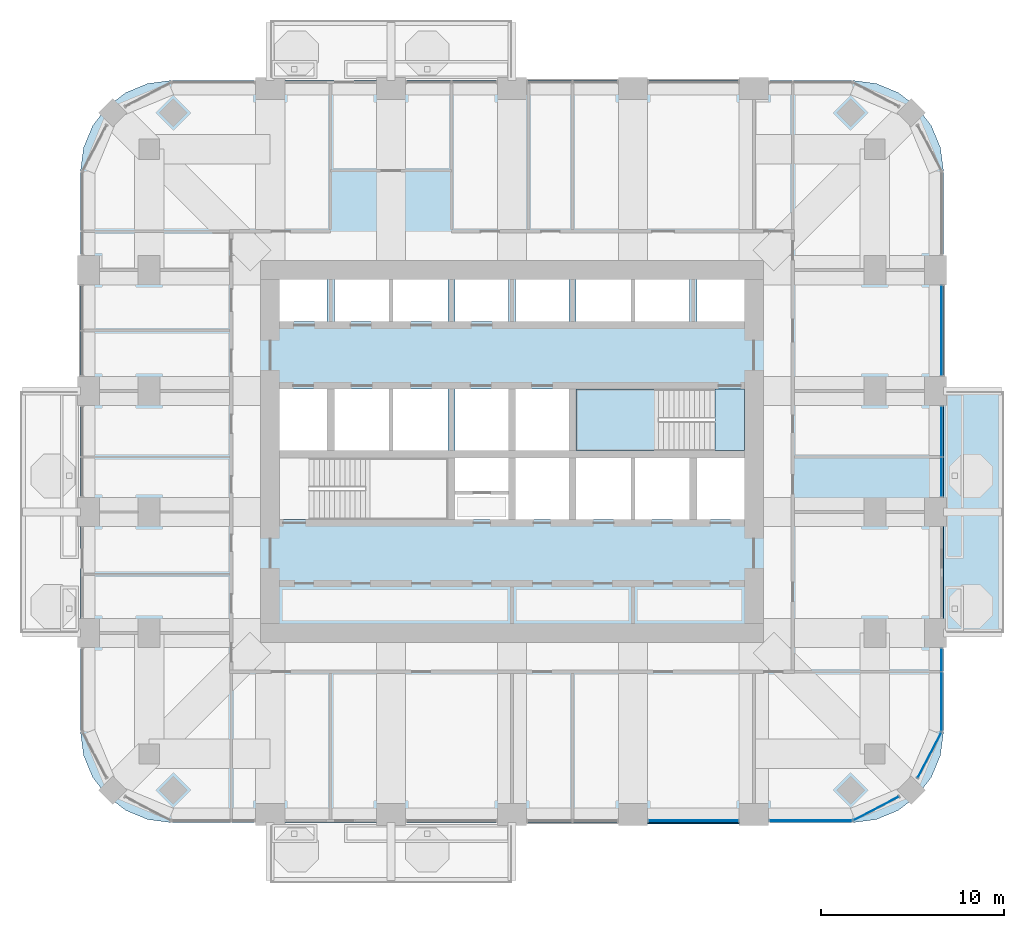
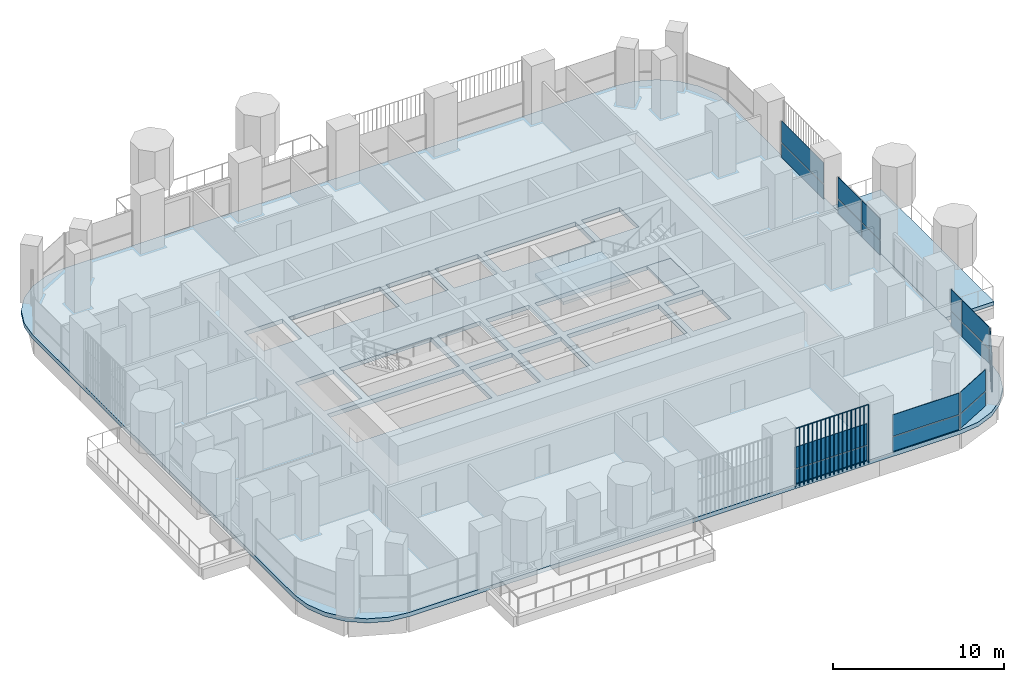
# One storey, part 9 of 20: 19 plates, 4 slabs, 8 elements without a shape of their own.
"""IFC4 building model written with IfcOpenShell, lengths in metres."""

from ifc_helpers import new_model, si_unit, direction, frame, origin, origin_2d, place, context, subcontext, project, spatial, polyline, rectangle, outline, extrude, material, layer, layer_set, type_object, element, aggregate, save


model = new_model("IFC4")

# Units and contexts
model_context = context("Model", 3, precision=1e-05, world=origin(), true_north=direction((0.0, 1.0)))
body_context = subcontext(model_context, "Body", "Model", "MODEL_VIEW")
ifc_project = project(units=[si_unit("LENGTHUNIT", "METRE"), si_unit("AREAUNIT", "SQUARE_METRE"), si_unit("VOLUMEUNIT", "CUBIC_METRE"), si_unit("PLANEANGLEUNIT", "RADIAN"), si_unit("MASSUNIT", "GRAM", prefix="KILO")], contexts=[model_context])

# Site, building, storey
site_placement = place(None, origin())
site = spatial("IfcSite", under=ifc_project, at=site_placement, CompositionType="ELEMENT")
building_placement = place(site_placement, origin())
building = spatial("IfcBuilding", under=site, at=building_placement, Name="Cobogo Forest Laboratory Tower", CompositionType="ELEMENT")
storey_placement = place(building_placement, frame((0.0, 0.0, 210.300048828125)))
storey = spatial("IfcBuildingStorey", under=building, at=storey_placement, Name="L48", CompositionType="ELEMENT", Elevation=210.300048828125)

# Slabs
ifc_material_1 = material(Name="Concrete HA-40 (C40/50)", Category="concrete")
ifc_layer_1 = layer(ifc_material_1, 0.25)
ifc_layer_set_1 = layer_set([ifc_layer_1], Name="Balcony slab 250")
slab_type_1 = type_object("IfcSlabType", Name="Balcony slab 250", PredefinedType="FLOOR", material=ifc_layer_set_1)
slab_1_placement = place(storey_placement, frame((0.0, 0.0, -0.25)))
element("IfcSlab", 1, at=slab_1_placement, inside=storey, type_object=slab_type_1, Name="Balcony BAL-E1 L48", PredefinedType="FLOOR", context=body_context, shape_type="SweptSolid", body=[
    extrude(outline(polyline([(49.949951171875, 13.199951171875), (53.25, 13.199951171875), (53.25, 26.39990234375), (49.949951171875, 26.39990234375), (49.949951171875, 13.199951171875)])), origin(), (0.0, 0.0, 1.0), 0.25),
])
ifc_layer_2 = layer(ifc_material_1, 0.300048828125)
ifc_layer_set_2 = layer_set([ifc_layer_2], Name="Floor slab 300")
slab_type_2 = type_object("IfcSlabType", Name="Floor slab 300", PredefinedType="FLOOR", material=ifc_layer_set_2)
slab_2_placement = place(storey_placement, frame((0.0, 0.0, -0.300048828125)))
element("IfcSlab", 2, at=slab_2_placement, inside=storey, type_object=slab_type_2, Name="L48 floor slab", PredefinedType="FLOOR", context=body_context, shape_type="SweptSolid", body=[
    extrude(outline(polyline([(45.0, 2.85009765625), (46.28125, 3.0185546875), (47.47509765625, 3.51318359375), (48.500244140625, 4.2998046875), (49.286865234375, 5.324951171875), (49.78125, 6.518798828125), (49.949951171875, 7.800048828125), (49.949951171875, 38.39990234375), (49.78125, 39.68115234375), (49.286865234375, 40.875), (48.500244140625, 41.900146484375), (47.47509765625, 42.686767578125), (46.28125, 43.181396484375), (45.0, 43.35009765625), (7.800048828125, 43.35009765625), (6.518798828125, 43.181396484375), (5.324951171875, 42.686767578125), (4.2998046875, 41.900146484375), (3.51318359375, 40.875), (3.0185546875, 39.68115234375), (2.85009765625, 38.39990234375), (2.85009765625, 7.800048828125), (3.0185546875, 6.518798828125), (3.51318359375, 5.324951171875), (4.2998046875, 4.2998046875), (5.324951171875, 3.51318359375), (6.518798828125, 3.0185546875), (7.800048828125, 2.85009765625), (45.0, 2.85009765625)]), holes=[polyline([(22.89990234375, 19.39990234375), (13.72509765625, 19.39990234375), (13.72509765625, 22.75), (22.89990234375, 22.75), (22.89990234375, 19.39990234375)]), polyline([(26.199951171875, 19.39990234375), (23.300048828125, 19.39990234375), (23.300048828125, 22.75), (26.199951171875, 22.75), (26.199951171875, 19.39990234375)]), polyline([(29.5, 19.39990234375), (26.60009765625, 19.39990234375), (26.60009765625, 22.75), (29.5, 22.75), (29.5, 19.39990234375)]), polyline([(36.10009765625, 22.75), (36.10009765625, 19.39990234375), (29.89990234375, 19.39990234375), (29.89990234375, 22.75), (36.10009765625, 22.75)]), polyline([(36.5, 19.39990234375), (36.5, 22.75), (39.074951171875, 22.75), (39.074951171875, 19.39990234375), (36.5, 19.39990234375)]), polyline([(16.300048828125, 23.14990234375), (13.72509765625, 23.14990234375), (13.72509765625, 26.5), (16.300048828125, 26.5), (16.300048828125, 23.14990234375)]), polyline([(22.89990234375, 26.5), (22.89990234375, 23.14990234375), (16.699951171875, 23.14990234375), (16.699951171875, 26.5), (22.89990234375, 26.5)]), polyline([(26.199951171875, 23.14990234375), (23.300048828125, 23.14990234375), (23.300048828125, 26.5), (26.199951171875, 26.5), (26.199951171875, 23.14990234375)]), polyline([(26.60009765625, 23.14990234375), (26.60009765625, 26.5), (29.5, 26.5), (29.5, 23.14990234375), (26.60009765625, 23.14990234375)]), polyline([(39.074951171875, 23.14990234375), (29.89990234375, 23.14990234375), (29.89990234375, 26.5), (39.074951171875, 26.5), (39.074951171875, 23.14990234375)]), polyline([(16.300048828125, 30.199951171875), (13.72509765625, 30.199951171875), (13.72509765625, 32.47509765625), (16.300048828125, 32.47509765625), (16.300048828125, 30.199951171875)]), polyline([(22.89990234375, 32.47509765625), (22.89990234375, 30.199951171875), (16.699951171875, 30.199951171875), (16.699951171875, 32.47509765625), (22.89990234375, 32.47509765625)]), polyline([(23.300048828125, 30.199951171875), (23.300048828125, 32.47509765625), (26.199951171875, 32.47509765625), (26.199951171875, 30.199951171875), (23.300048828125, 30.199951171875)]), polyline([(29.5, 30.199951171875), (26.60009765625, 30.199951171875), (26.60009765625, 32.47509765625), (29.5, 32.47509765625), (29.5, 30.199951171875)]), polyline([(36.10009765625, 32.47509765625), (36.10009765625, 30.199951171875), (29.89990234375, 30.199951171875), (29.89990234375, 32.47509765625), (36.10009765625, 32.47509765625)]), polyline([(36.5, 30.199951171875), (36.5, 32.47509765625), (39.074951171875, 32.47509765625), (39.074951171875, 30.199951171875), (36.5, 30.199951171875)])]), origin(), (0.0, 0.0, 1.0), 0.300048828125),
])

# Curtain wall, plates
ifc_material_2 = material(Name="Aluminium curtain wall", Category="aluminium")
curtain_wall_type = type_object("IfcCurtainWallType", Name="CW-2 unitised curtain wall, solar control glazing, laboratory floors zones C and D", PredefinedType="USERDEFINED", material=ifc_material_2)
curtain_wall_1_placement = place(storey_placement, origin())
curtain_wall_1 = element("IfcCurtainWall", 3, at=curtain_wall_1_placement, inside=storey, type_object=curtain_wall_type, Name="Curtain wall 05 L48", ObjectType="UNITISED CURTAIN WALL", PredefinedType="USERDEFINED")
ifc_material_3 = material(Name="Solar control insulated glass", Category="glass")
ifc_layer_3 = layer(ifc_material_3, 0.031982421875)
ifc_layer_set_3 = layer_set([ifc_layer_3], Name="GP-2 solar control glass unit 32")
plate_type_1 = type_object("IfcPlateType", Name="GP-2 solar control glass unit 32", PredefinedType="CURTAIN_PANEL", material=ifc_layer_set_3)
plate_1_placement = place(storey_placement, frame((36.300048828125, 2.949951171875, 0.0), z_axis=(0.0, 0.0, 1.0), x_axis=(1.0, 0.0, 0.0)))
plate_1 = element("IfcPlate", 4, at=plate_1_placement, type_object=plate_type_1, Name="CW-2 panel 1.1", PredefinedType="CURTAIN_PANEL", context=body_context, shape_type="SweptSolid", body=[
    extrude(rectangle(XDim=4.8798828125, YDim=0.031982421875, at=origin_2d()), origin(), (0.0, 0.0, 1.0), 1.02001953125),
])
plate_2_placement = place(storey_placement, frame((36.300048828125, 2.949951171875, 1.079833984375), z_axis=(0.0, 0.0, 1.0), x_axis=(1.0, 0.0, 0.0)))
plate_2 = element("IfcPlate", 5, at=plate_2_placement, type_object=plate_type_1, Name="CW-2 panel 1.2", PredefinedType="CURTAIN_PANEL", context=body_context, shape_type="SweptSolid", body=[
    extrude(rectangle(XDim=4.8798828125, YDim=0.031982421875, at=origin_2d()), origin(), (0.0, 0.0, 1.0), 1.52001953125),
])
aggregate(curtain_wall_1, [plate_1, plate_2])

curtain_wall_2_placement = place(storey_placement, origin())
curtain_wall_2 = element("IfcCurtainWall", 6, at=curtain_wall_2_placement, inside=storey, type_object=curtain_wall_type, Name="Curtain wall 06 L48", ObjectType="UNITISED CURTAIN WALL", PredefinedType="USERDEFINED")
plate_3_placement = place(storey_placement, frame((42.699951171875, 2.949951171875, 0.0), z_axis=(0.0, 0.0, 1.0), x_axis=(1.0, 0.0, 0.0)))
plate_3 = element("IfcPlate", 7, at=plate_3_placement, type_object=plate_type_1, Name="CW-2 panel 1.1", PredefinedType="CURTAIN_PANEL", context=body_context, shape_type="SweptSolid", body=[
    extrude(rectangle(XDim=4.47998046875, YDim=0.031982421875, at=origin_2d()), origin(), (0.0, 0.0, 1.0), 1.02001953125),
])
plate_4_placement = place(storey_placement, frame((42.699951171875, 2.949951171875, 1.079833984375), z_axis=(0.0, 0.0, 1.0), x_axis=(1.0, 0.0, 0.0)))
plate_4 = element("IfcPlate", 8, at=plate_4_placement, type_object=plate_type_1, Name="CW-2 panel 1.2", PredefinedType="CURTAIN_PANEL", context=body_context, shape_type="SweptSolid", body=[
    extrude(rectangle(XDim=4.47998046875, YDim=0.031982421875, at=origin_2d()), origin(), (0.0, 0.0, 1.0), 1.52001953125),
])
aggregate(curtain_wall_2, [plate_3, plate_4])

curtain_wall_3_placement = place(storey_placement, origin())
curtain_wall_3 = element("IfcCurtainWall", 9, at=curtain_wall_3_placement, inside=storey, type_object=curtain_wall_type, Name="Curtain wall 07 L48", ObjectType="UNITISED CURTAIN WALL", PredefinedType="USERDEFINED")
plate_5_placement = place(storey_placement, frame((46.275634765625, 3.61865234375, 0.0), z_axis=(0.0, 0.0, 1.0), x_axis=(0.885686484356, 0.464283804832, 0.0)))
plate_5 = element("IfcPlate", 10, at=plate_5_placement, type_object=plate_type_1, Name="CW-2 panel 1.1", PredefinedType="CURTAIN_PANEL", context=body_context, shape_type="SweptSolid", body=[
    extrude(rectangle(XDim=2.76025390625, YDim=0.031982421875, at=origin_2d()), origin(), (0.0, 0.0, 1.0), 1.02001953125),
])
plate_6_placement = place(storey_placement, frame((46.275634765625, 3.61865234375, 1.079833984375), z_axis=(0.0, 0.0, 1.0), x_axis=(0.885686484356, 0.464283804832, 0.0)))
plate_6 = element("IfcPlate", 11, at=plate_6_placement, type_object=plate_type_1, Name="CW-2 panel 1.2", PredefinedType="CURTAIN_PANEL", context=body_context, shape_type="SweptSolid", body=[
    extrude(rectangle(XDim=2.76025390625, YDim=0.031982421875, at=origin_2d()), origin(), (0.0, 0.0, 1.0), 1.52001953125),
])
aggregate(curtain_wall_3, [plate_5, plate_6])

curtain_wall_4_placement = place(storey_placement, origin())
curtain_wall_4 = element("IfcCurtainWall", 12, at=curtain_wall_4_placement, inside=storey, type_object=curtain_wall_type, Name="Curtain wall 08 L48", ObjectType="UNITISED CURTAIN WALL", PredefinedType="USERDEFINED")
plate_7_placement = place(storey_placement, frame((49.181396484375, 6.5244140625, 0.0), z_axis=(0.0, 0.0, 1.0), x_axis=(0.464283804832, 0.885686484356, 0.0)))
plate_7 = element("IfcPlate", 13, at=plate_7_placement, type_object=plate_type_1, Name="CW-2 panel 1.1", PredefinedType="CURTAIN_PANEL", context=body_context, shape_type="SweptSolid", body=[
    extrude(rectangle(XDim=2.76025390625, YDim=0.031982421875, at=origin_2d()), origin(), (0.0, 0.0, 1.0), 1.02001953125),
])
plate_8_placement = place(storey_placement, frame((49.181396484375, 6.5244140625, 1.079833984375), z_axis=(0.0, 0.0, 1.0), x_axis=(0.464283804832, 0.885686484356, 0.0)))
plate_8 = element("IfcPlate", 14, at=plate_8_placement, type_object=plate_type_1, Name="CW-2 panel 1.2", PredefinedType="CURTAIN_PANEL", context=body_context, shape_type="SweptSolid", body=[
    extrude(rectangle(XDim=2.76025390625, YDim=0.031982421875, at=origin_2d()), origin(), (0.0, 0.0, 1.0), 1.52001953125),
])
aggregate(curtain_wall_4, [plate_7, plate_8])

curtain_wall_5_placement = place(storey_placement, origin())
curtain_wall_5 = element("IfcCurtainWall", 15, at=curtain_wall_5_placement, inside=storey, type_object=curtain_wall_type, Name="Curtain wall 09 L48", ObjectType="UNITISED CURTAIN WALL", PredefinedType="USERDEFINED")
plate_9_placement = place(storey_placement, frame((49.85009765625, 9.452392578125, 0.0), z_axis=(0.0, 0.0, 1.0), x_axis=(0.0, 1.0, 0.0)))
plate_9 = element("IfcPlate", 16, at=plate_9_placement, type_object=plate_type_1, Name="CW-2 panel 1.1", PredefinedType="CURTAIN_PANEL", context=body_context, shape_type="SweptSolid", body=[
    extrude(rectangle(XDim=3.18505859375, YDim=0.031982421875, at=origin_2d()), origin(), (0.0, 0.0, 1.0), 1.02001953125),
])
plate_10_placement = place(storey_placement, frame((49.85009765625, 9.452392578125, 1.079833984375), z_axis=(0.0, 0.0, 1.0), x_axis=(0.0, 1.0, 0.0)))
plate_10 = element("IfcPlate", 17, at=plate_10_placement, type_object=plate_type_1, Name="CW-2 panel 1.2", PredefinedType="CURTAIN_PANEL", context=body_context, shape_type="SweptSolid", body=[
    extrude(rectangle(XDim=3.18505859375, YDim=0.031982421875, at=origin_2d()), origin(), (0.0, 0.0, 1.0), 1.52001953125),
])
plate_11_placement = place(storey_placement, frame((49.85009765625, 11.722412109375, 0.0), z_axis=(0.0, 0.0, 1.0), x_axis=(0.0, 1.0, 0.0)))
plate_11 = element("IfcPlate", 18, at=plate_11_placement, type_object=plate_type_1, Name="CW-2 panel 2.1", PredefinedType="CURTAIN_PANEL", context=body_context, shape_type="SweptSolid", body=[
    extrude(rectangle(XDim=1.235107421875, YDim=0.031982421875, at=origin_2d()), origin(), (0.0, 0.0, 1.0), 1.02001953125),
])
plate_12_placement = place(storey_placement, frame((49.85009765625, 11.722412109375, 1.079833984375), z_axis=(0.0, 0.0, 1.0), x_axis=(0.0, 1.0, 0.0)))
plate_12 = element("IfcPlate", 19, at=plate_12_placement, type_object=plate_type_1, Name="CW-2 panel 2.2", PredefinedType="CURTAIN_PANEL", context=body_context, shape_type="SweptSolid", body=[
    extrude(rectangle(XDim=1.235107421875, YDim=0.031982421875, at=origin_2d()), origin(), (0.0, 0.0, 1.0), 1.52001953125),
])
aggregate(curtain_wall_5, [plate_9, plate_10, plate_11, plate_12])

curtain_wall_6_placement = place(storey_placement, origin())
curtain_wall_6 = element("IfcCurtainWall", 20, at=curtain_wall_6_placement, inside=storey, type_object=curtain_wall_type, Name="Curtain wall 11 L48", ObjectType="UNITISED CURTAIN WALL", PredefinedType="USERDEFINED")
plate_13_placement = place(storey_placement, frame((49.85009765625, 21.715087890625, 0.0), z_axis=(0.0, 0.0, 1.0), x_axis=(0.0, 1.0, 0.0)))
plate_13 = element("IfcPlate", 21, at=plate_13_placement, type_object=plate_type_1, Name="CW-2 panel 1.1", PredefinedType="CURTAIN_PANEL", context=body_context, shape_type="SweptSolid", body=[
    extrude(rectangle(XDim=2.110107421875, YDim=0.031982421875, at=origin_2d()), origin(), (0.0, 0.0, 1.0), 1.02001953125),
])
plate_14_placement = place(storey_placement, frame((49.85009765625, 21.715087890625, 1.079833984375), z_axis=(0.0, 0.0, 1.0), x_axis=(0.0, 1.0, 0.0)))
plate_14 = element("IfcPlate", 22, at=plate_14_placement, type_object=plate_type_1, Name="CW-2 panel 1.2", PredefinedType="CURTAIN_PANEL", context=body_context, shape_type="SweptSolid", body=[
    extrude(rectangle(XDim=2.110107421875, YDim=0.031982421875, at=origin_2d()), origin(), (0.0, 0.0, 1.0), 1.52001953125),
])
plate_15_placement = place(storey_placement, frame((49.85009765625, 24.18505859375, 0.0), z_axis=(0.0, 0.0, 1.0), x_axis=(0.0, 1.0, 0.0)))
plate_15 = element("IfcPlate", 23, at=plate_15_placement, type_object=plate_type_1, Name="CW-2 panel 2.1", PredefinedType="CURTAIN_PANEL", context=body_context, shape_type="SweptSolid", body=[
    extrude(rectangle(XDim=2.7099609375, YDim=0.031982421875, at=origin_2d()), origin(), (0.0, 0.0, 1.0), 1.02001953125),
])
plate_16_placement = place(storey_placement, frame((49.85009765625, 24.18505859375, 1.079833984375), z_axis=(0.0, 0.0, 1.0), x_axis=(0.0, 1.0, 0.0)))
plate_16 = element("IfcPlate", 24, at=plate_16_placement, type_object=plate_type_1, Name="CW-2 panel 2.2", PredefinedType="CURTAIN_PANEL", context=body_context, shape_type="SweptSolid", body=[
    extrude(rectangle(XDim=2.7099609375, YDim=0.031982421875, at=origin_2d()), origin(), (0.0, 0.0, 1.0), 1.52001953125),
])
aggregate(curtain_wall_6, [plate_13, plate_14, plate_15, plate_16])

curtain_wall_7_placement = place(storey_placement, origin())
curtain_wall_7 = element("IfcCurtainWall", 25, at=curtain_wall_7_placement, inside=storey, type_object=curtain_wall_type, Name="Curtain wall 12 L48", ObjectType="UNITISED CURTAIN WALL", PredefinedType="USERDEFINED")
plate_17_placement = place(storey_placement, frame((49.85009765625, 29.699951171875, 0.0), z_axis=(0.0, 0.0, 1.0), x_axis=(0.0, 1.0, 0.0)))
plate_17 = element("IfcPlate", 26, at=plate_17_placement, type_object=plate_type_1, Name="CW-2 panel 1.1", PredefinedType="CURTAIN_PANEL", context=body_context, shape_type="SweptSolid", body=[
    extrude(rectangle(XDim=4.8798828125, YDim=0.031982421875, at=origin_2d()), origin(), (0.0, 0.0, 1.0), 1.02001953125),
])
plate_18_placement = place(storey_placement, frame((49.85009765625, 29.699951171875, 1.079833984375), z_axis=(0.0, 0.0, 1.0), x_axis=(0.0, 1.0, 0.0)))
plate_18 = element("IfcPlate", 27, at=plate_18_placement, type_object=plate_type_1, Name="CW-2 panel 1.2", PredefinedType="CURTAIN_PANEL", context=body_context, shape_type="SweptSolid", body=[
    extrude(rectangle(XDim=4.8798828125, YDim=0.031982421875, at=origin_2d()), origin(), (0.0, 0.0, 1.0), 1.52001953125),
])
aggregate(curtain_wall_7, [plate_17, plate_18])

# Stair, slabs
ifc_material_4 = material(Name="Precast concrete HA-40 (C40/50)", Category="concrete")
stair_type = type_object("IfcStairType", Name="ST24 exit stair 24 risers", PredefinedType="HALF_TURN_STAIR", material=ifc_material_4)
stair_placement = place(storey_placement, origin())
stair = element("IfcStair", 28, at=stair_placement, inside=storey, type_object=stair_type, Name="Stair 2 L48 to L49", PredefinedType="HALF_TURN_STAIR")
ifc_layer_4 = layer(ifc_material_1, 0.199951171875)
ifc_layer_set_4 = layer_set([ifc_layer_4], Name="SL stair landing 200")
slab_type_3 = type_object("IfcSlabType", Name="SL stair landing 200", PredefinedType="LANDING", material=ifc_layer_set_4)
slab_3_placement = place(storey_placement, frame((0.0, 0.0, -0.199951171875)))
slab_3 = element("IfcSlab", 29, at=slab_3_placement, type_object=slab_type_3, Name="ST2 landing 1", PredefinedType="LANDING", context=body_context, shape_type="SweptSolid", body=[
    extrude(outline(polyline([(37.472900390625, 23.14990234375), (39.074951171875, 23.14990234375), (39.074951171875, 26.5), (37.472900390625, 26.5), (37.472900390625, 23.14990234375)])), origin(), (0.0, 0.0, 1.0), 0.199951171875),
])
slab_4_placement = place(storey_placement, frame((0.0, 0.0, 1.89990234375)))
slab_4 = element("IfcSlab", 30, at=slab_4_placement, type_object=slab_type_3, Name="ST2 landing 2", PredefinedType="LANDING", context=body_context, shape_type="SweptSolid", body=[
    extrude(outline(polyline([(29.89990234375, 23.14990234375), (34.39697265625, 23.14990234375), (34.39697265625, 26.5), (29.89990234375, 26.5), (29.89990234375, 23.14990234375)])), origin(), (0.0, 0.0, 1.0), 0.199951171875),
])
aggregate(stair, [slab_3, slab_4])

# Plate
ifc_material_5 = material(Name="Terracotta", Category="masonry")
plate_type_2 = type_object("IfcPlateType", Name="TB1 terracotta baguette screen", PredefinedType="USERDEFINED", material=ifc_material_5)
plate_19_placement = place(storey_placement, frame((33.831298828125, 2.822021484375, -0.150146484375)))
element("IfcPlate", 31, at=plate_19_placement, inside=storey, type_object=plate_type_2, Name="Baguette screen S4 L48", ObjectType="BAGUETTE SCREEN", PredefinedType="USERDEFINED", context=body_context, shape_type="SweptSolid", body=[
    extrude(outline(polyline([(0.02880859375, 0.011962890625), (0.011962890625, 0.02880859375), (-0.011962890625, 0.02880859375), (-0.02880859375, 0.011962890625), (-0.02880859375, -0.011962890625), (-0.011962890625, -0.02880859375), (0.011962890625, -0.02880859375), (0.02880859375, -0.011962890625), (0.02880859375, 0.011962890625)])), frame((0.0, 0.0, 4.168701171875), z_axis=(1.0, 0.0, 0.0), x_axis=(0.0, 1.0, 0.0)), (0.0, 0.0, 1.0), 4.9375),
    extrude(outline(polyline([(0.02880859375, 0.011962890625), (0.011962890625, 0.02880859375), (-0.011962890625, 0.02880859375), (-0.02880859375, 0.011962890625), (-0.02880859375, -0.011962890625), (-0.011962890625, -0.02880859375), (0.011962890625, -0.02880859375), (0.02880859375, -0.011962890625), (0.02880859375, 0.011962890625)])), origin(), (0.0, 0.0, 1.0), 4.137451171875),
    extrude(outline(polyline([(0.02880859375, 0.011962890625), (0.011962890625, 0.02880859375), (-0.011962890625, 0.02880859375), (-0.02880859375, 0.011962890625), (-0.02880859375, -0.011962890625), (-0.011962890625, -0.02880859375), (0.011962890625, -0.02880859375), (0.02880859375, -0.011962890625), (0.02880859375, 0.011962890625)])), frame((0.29052734375, 0.0, 0.0)), (0.0, 0.0, 1.0), 4.137451171875),
    extrude(outline(polyline([(0.02880859375, 0.011962890625), (0.011962890625, 0.02880859375), (-0.011962890625, 0.02880859375), (-0.02880859375, 0.011962890625), (-0.02880859375, -0.011962890625), (-0.011962890625, -0.02880859375), (0.011962890625, -0.02880859375), (0.02880859375, -0.011962890625), (0.02880859375, 0.011962890625)])), frame((0.580810546875, 0.0, 0.0)), (0.0, 0.0, 1.0), 4.137451171875),
    extrude(outline(polyline([(0.02880859375, 0.011962890625), (0.011962890625, 0.02880859375), (-0.011962890625, 0.02880859375), (-0.02880859375, 0.011962890625), (-0.02880859375, -0.011962890625), (-0.011962890625, -0.02880859375), (0.011962890625, -0.02880859375), (0.02880859375, -0.011962890625), (0.02880859375, 0.011962890625)])), frame((0.871337890625, 0.0, 0.0)), (0.0, 0.0, 1.0), 4.137451171875),
    extrude(outline(polyline([(0.02880859375, 0.011962890625), (0.011962890625, 0.02880859375), (-0.011962890625, 0.02880859375), (-0.02880859375, 0.011962890625), (-0.02880859375, -0.011962890625), (-0.011962890625, -0.02880859375), (0.011962890625, -0.02880859375), (0.02880859375, -0.011962890625), (0.02880859375, 0.011962890625)])), frame((1.161865234375, 0.0, 0.0)), (0.0, 0.0, 1.0), 4.137451171875),
    extrude(outline(polyline([(0.02880859375, 0.011962890625), (0.011962890625, 0.02880859375), (-0.011962890625, 0.02880859375), (-0.02880859375, 0.011962890625), (-0.02880859375, -0.011962890625), (-0.011962890625, -0.02880859375), (0.011962890625, -0.02880859375), (0.02880859375, -0.011962890625), (0.02880859375, 0.011962890625)])), frame((1.4521484375, 0.0, 0.0)), (0.0, 0.0, 1.0), 4.137451171875),
    extrude(outline(polyline([(0.02880859375, 0.011962890625), (0.011962890625, 0.02880859375), (-0.011962890625, 0.02880859375), (-0.02880859375, 0.011962890625), (-0.02880859375, -0.011962890625), (-0.011962890625, -0.02880859375), (0.011962890625, -0.02880859375), (0.02880859375, -0.011962890625), (0.02880859375, 0.011962890625)])), frame((1.74267578125, 0.0, 0.0)), (0.0, 0.0, 1.0), 4.137451171875),
    extrude(outline(polyline([(0.02880859375, 0.011962890625), (0.011962890625, 0.02880859375), (-0.011962890625, 0.02880859375), (-0.02880859375, 0.011962890625), (-0.02880859375, -0.011962890625), (-0.011962890625, -0.02880859375), (0.011962890625, -0.02880859375), (0.02880859375, -0.011962890625), (0.02880859375, 0.011962890625)])), frame((2.033203125, 0.0, 0.0)), (0.0, 0.0, 1.0), 4.137451171875),
    extrude(outline(polyline([(0.02880859375, 0.011962890625), (0.011962890625, 0.02880859375), (-0.011962890625, 0.02880859375), (-0.02880859375, 0.011962890625), (-0.02880859375, -0.011962890625), (-0.011962890625, -0.02880859375), (0.011962890625, -0.02880859375), (0.02880859375, -0.011962890625), (0.02880859375, 0.011962890625)])), frame((2.323486328125, 0.0, 0.0)), (0.0, 0.0, 1.0), 4.137451171875),
    extrude(outline(polyline([(0.02880859375, 0.011962890625), (0.011962890625, 0.02880859375), (-0.011962890625, 0.02880859375), (-0.02880859375, 0.011962890625), (-0.02880859375, -0.011962890625), (-0.011962890625, -0.02880859375), (0.011962890625, -0.02880859375), (0.02880859375, -0.011962890625), (0.02880859375, 0.011962890625)])), frame((2.614013671875, 0.0, 0.0)), (0.0, 0.0, 1.0), 4.137451171875),
    extrude(outline(polyline([(0.02880859375, 0.011962890625), (0.011962890625, 0.02880859375), (-0.011962890625, 0.02880859375), (-0.02880859375, 0.011962890625), (-0.02880859375, -0.011962890625), (-0.011962890625, -0.02880859375), (0.011962890625, -0.02880859375), (0.02880859375, -0.011962890625), (0.02880859375, 0.011962890625)])), frame((2.904296875, 0.0, 0.0)), (0.0, 0.0, 1.0), 4.137451171875),
    extrude(outline(polyline([(0.02880859375, 0.011962890625), (0.011962890625, 0.02880859375), (-0.011962890625, 0.02880859375), (-0.02880859375, 0.011962890625), (-0.02880859375, -0.011962890625), (-0.011962890625, -0.02880859375), (0.011962890625, -0.02880859375), (0.02880859375, -0.011962890625), (0.02880859375, 0.011962890625)])), frame((3.19482421875, 0.0, 0.0)), (0.0, 0.0, 1.0), 4.137451171875),
    extrude(outline(polyline([(0.02880859375, 0.011962890625), (0.011962890625, 0.02880859375), (-0.011962890625, 0.02880859375), (-0.02880859375, 0.011962890625), (-0.02880859375, -0.011962890625), (-0.011962890625, -0.02880859375), (0.011962890625, -0.02880859375), (0.02880859375, -0.011962890625), (0.02880859375, 0.011962890625)])), frame((3.4853515625, 0.0, 0.0)), (0.0, 0.0, 1.0), 4.137451171875),
    extrude(outline(polyline([(0.02880859375, 0.011962890625), (0.011962890625, 0.02880859375), (-0.011962890625, 0.02880859375), (-0.02880859375, 0.011962890625), (-0.02880859375, -0.011962890625), (-0.011962890625, -0.02880859375), (0.011962890625, -0.02880859375), (0.02880859375, -0.011962890625), (0.02880859375, 0.011962890625)])), frame((3.775634765625, 0.0, 0.0)), (0.0, 0.0, 1.0), 4.137451171875),
    extrude(outline(polyline([(0.02880859375, 0.011962890625), (0.011962890625, 0.02880859375), (-0.011962890625, 0.02880859375), (-0.02880859375, 0.011962890625), (-0.02880859375, -0.011962890625), (-0.011962890625, -0.02880859375), (0.011962890625, -0.02880859375), (0.02880859375, -0.011962890625), (0.02880859375, 0.011962890625)])), frame((4.066162109375, 0.0, 0.0)), (0.0, 0.0, 1.0), 4.137451171875),
    extrude(outline(polyline([(0.02880859375, 0.011962890625), (0.011962890625, 0.02880859375), (-0.011962890625, 0.02880859375), (-0.02880859375, 0.011962890625), (-0.02880859375, -0.011962890625), (-0.011962890625, -0.02880859375), (0.011962890625, -0.02880859375), (0.02880859375, -0.011962890625), (0.02880859375, 0.011962890625)])), frame((4.356689453125, 0.0, 0.0)), (0.0, 0.0, 1.0), 4.137451171875),
    extrude(outline(polyline([(0.02880859375, 0.011962890625), (0.011962890625, 0.02880859375), (-0.011962890625, 0.02880859375), (-0.02880859375, 0.011962890625), (-0.02880859375, -0.011962890625), (-0.011962890625, -0.02880859375), (0.011962890625, -0.02880859375), (0.02880859375, -0.011962890625), (0.02880859375, 0.011962890625)])), frame((4.64697265625, 0.0, 0.0)), (0.0, 0.0, 1.0), 4.137451171875),
    extrude(outline(polyline([(0.02880859375, 0.011962890625), (0.011962890625, 0.02880859375), (-0.011962890625, 0.02880859375), (-0.02880859375, 0.011962890625), (-0.02880859375, -0.011962890625), (-0.011962890625, -0.02880859375), (0.011962890625, -0.02880859375), (0.02880859375, -0.011962890625), (0.02880859375, 0.011962890625)])), frame((4.9375, 0.0, 0.0)), (0.0, 0.0, 1.0), 4.137451171875),
])

save(model, "model.ifc")
